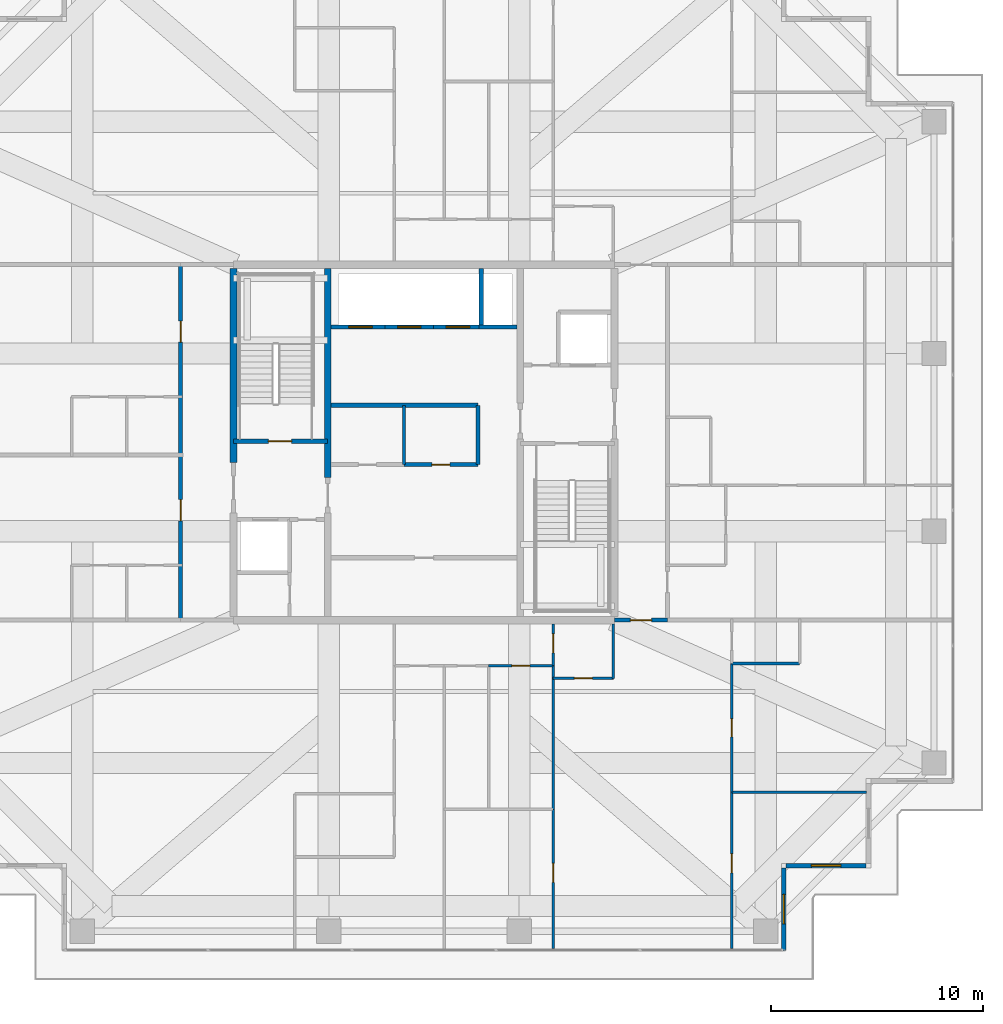
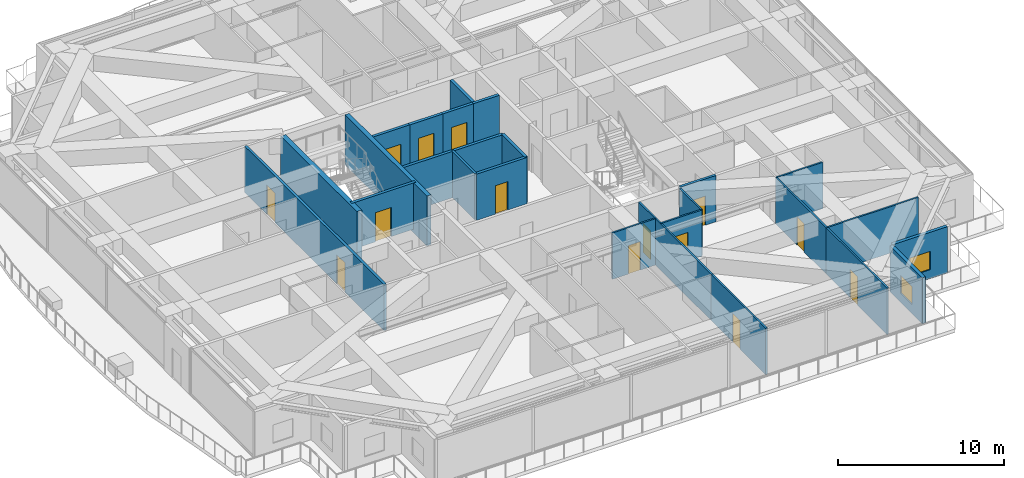
# One storey, part 29 of 39: 26 walls, 14 doors, 2 windows, 16 openings.
"""IFC4 building model written with IfcOpenShell, lengths in metres."""

import ifcopenshell
import ifcopenshell.guid

model = None  # the IFC model being written
_history = None  # IfcOwnerHistory: only IFC2X3 demands one
_inside = {}  # id of a spatial element -> (the spatial element, [elements in it])
_under = {}  # id of a project, library or spatial element -> (it, [spatial elements below it])
_declared = {}  # id of a project -> (the project, [libraries it declares])
_typed = {}  # id of a type object -> (the type object, [elements of that type])
_made_of = {}  # id of a material, layer set ... -> (it, [elements and type objects made of it])


def new_model(schema):
    """Start an empty IFC model of exactly this schema.

    Asked for "IFC4X3", IfcOpenShell would pick the latest addendum, in which some entities
    have other attributes; the version numbers below select the first issue.
    IFC2X3 requires an IfcOwnerHistory on every rooted entity: one is made here for all.
    """
    global model, _history
    if schema == "IFC4X3":
        model = ifcopenshell.file(schema_version=(4, 3, 0, 0))
    else:
        model = ifcopenshell.file(schema=schema)
    _inside.clear()
    _under.clear()
    _declared.clear()
    _typed.clear()
    _made_of.clear()
    _history = None
    if model.schema == "IFC2X3":
        org = make("IfcOrganization", Name="unknown")
        user = make(
            "IfcPersonAndOrganization",
            ThePerson=make("IfcPerson", FamilyName="unknown"),
            TheOrganization=org,
        )
        app = make(
            "IfcApplication",
            ApplicationDeveloper=org,
            Version="unknown",
            ApplicationFullName="unknown",
            ApplicationIdentifier="unknown",
        )
        _history = make(
            "IfcOwnerHistory",
            OwningUser=user,
            OwningApplication=app,
            ChangeAction="ADDED",
            CreationDate=0,
        )
    return model


def make(cls, **values):
    """One entity of the class cls with the attributes given. An attribute that is None is left unset."""
    return model.create_entity(
        cls, **{name: value for name, value in values.items() if value is not None}
    )


def rooted(cls, **values):
    """An entity with a GlobalId (a new one), such as an element, a storey or a relation."""
    return make(cls, GlobalId=ifcopenshell.guid.new(), OwnerHistory=_history, **values)


def si_unit(unit_type, name, prefix=None):
    """IfcSIUnit, for example si_unit("LENGTHUNIT", "METRE", prefix="MILLI")."""
    return make("IfcSIUnit", UnitType=unit_type, Prefix=prefix, Name=name)


def assignment(units):
    """IfcUnitAssignment: the units of a project."""
    return None if units is None else make("IfcUnitAssignment", Units=units)


def point(xyz):
    """IfcCartesianPoint."""
    return None if xyz is None else make("IfcCartesianPoint", Coordinates=xyz)


def direction(xyz):
    """IfcDirection."""
    return None if xyz is None else make("IfcDirection", DirectionRatios=xyz)


def frame(location, z_axis=None, x_axis=None):
    """IfcAxis2Placement3D, a coordinate frame: its origin and axes. An axis left out is left unset."""
    return make(
        "IfcAxis2Placement3D",
        Location=point(location),
        Axis=direction(z_axis),
        RefDirection=direction(x_axis),
    )


def frame_2d(location, x_axis=None):
    """IfcAxis2Placement2D, a coordinate frame in the plane: its origin and x axis."""
    return make(
        "IfcAxis2Placement2D", Location=point(location), RefDirection=direction(x_axis)
    )


def origin():
    """The frame at (0, 0, 0) with its axes left unset."""
    return frame((0.0, 0.0, 0.0))


def place(relative_to, where):
    """IfcLocalPlacement: puts the frame where relative to a parent placement (None: the world)."""
    return make(
        "IfcLocalPlacement", PlacementRelTo=relative_to, RelativePlacement=where
    )


def context(
    kind, dimensions, precision=None, world=None, true_north=None, identifier=None
):
    """IfcGeometricRepresentationContext, for example the 3D "Model" context."""
    return make(
        "IfcGeometricRepresentationContext",
        ContextIdentifier=identifier,
        ContextType=kind,
        CoordinateSpaceDimension=dimensions,
        Precision=precision,
        WorldCoordinateSystem=world,
        TrueNorth=true_north,
    )


def subcontext(parent, identifier, kind, view, scale=None):
    """IfcGeometricRepresentationSubContext, for example "Body" below "Model"."""
    return make(
        "IfcGeometricRepresentationSubContext",
        ContextIdentifier=identifier,
        ContextType=kind,
        ParentContext=parent,
        TargetScale=scale,
        TargetView=view,
    )


def project(units=None, contexts=None):
    """IfcProject with its units and contexts."""
    return rooted(
        "IfcProject",
        Name="project",
        RepresentationContexts=contexts,
        UnitsInContext=assignment(units),
    )


def spatial(cls, under=None, at=None, **own):
    """A site, building, storey or space (cls), placed at a placement, below another one or the project."""
    s = rooted(cls, ObjectPlacement=at, **own)
    if under is not None:
        _under.setdefault(under.id(), (under, []))[1].append(s)
    return s


def profile(cls, at=None, kind="AREA", **sizes):
    """A parametric profile (cls). Its sizes go by their IFC names, for example OverallWidth=200.0."""
    return make(cls, ProfileType=kind, Position=at, **sizes)


def rectangle(**sizes):
    """IfcRectangleProfileDef."""
    return profile("IfcRectangleProfileDef", **sizes)


def extrude(swept, where, along, depth):
    """IfcExtrudedAreaSolid: the profile swept, set in the frame where, extruded along a direction by depth."""
    return make(
        "IfcExtrudedAreaSolid",
        SweptArea=swept,
        Position=where,
        ExtrudedDirection=direction(along),
        Depth=depth,
    )


def shape(context_of_items, identifier, shape_type, items):
    """IfcShapeRepresentation: the items that make up one representation, for example the "Body"."""
    return make(
        "IfcShapeRepresentation",
        ContextOfItems=context_of_items,
        RepresentationIdentifier=identifier,
        RepresentationType=shape_type,
        Items=items,
    )


def source(mapping_origin, context_of_items, identifier, shape_type, items):
    """IfcRepresentationMap: a shape defined once, which mapped items show again and again."""
    return make(
        "IfcRepresentationMap",
        MappingOrigin=mapping_origin,
        MappedRepresentation=shape(context_of_items, identifier, shape_type, items),
    )


def transform(
    local_origin,
    x_axis=None,
    y_axis=None,
    z_axis=None,
    scale=None,
    scale2=None,
    scale3=None,
    uniform=True,
):
    """IfcCartesianTransformationOperator3D, or its non-uniform kind. x_axis, y_axis, z_axis: its Axis1, 2, 3."""
    if uniform:
        return make(
            "IfcCartesianTransformationOperator3D",
            Axis1=direction(x_axis),
            Axis2=direction(y_axis),
            LocalOrigin=point(local_origin),
            Scale=scale,
            Axis3=direction(z_axis),
        )
    return make(
        "IfcCartesianTransformationOperator3DnonUniform",
        Axis1=direction(x_axis),
        Axis2=direction(y_axis),
        LocalOrigin=point(local_origin),
        Scale=scale,
        Axis3=direction(z_axis),
        Scale2=scale2,
        Scale3=scale3,
    )


def mapped(mapping_source, mapping_target):
    """IfcMappedItem: shows the shape of a source again, moved by a transform."""
    return make(
        "IfcMappedItem", MappingSource=mapping_source, MappingTarget=mapping_target
    )


def material(Name=None, Category=None):
    """IfcMaterial."""
    return make("IfcMaterial", Name=Name, Category=Category)


def layer(
    of_material, thickness, ventilated=None, Name=None, Category=None, Priority=None
):
    """IfcMaterialLayer: one layer of a wall or slab, of a material (None: an air gap)."""
    return make(
        "IfcMaterialLayer",
        Material=of_material,
        LayerThickness=thickness,
        IsVentilated=ventilated,
        Name=Name,
        Category=Category,
        Priority=Priority,
    )


def layer_set(layers, Name=None):
    """IfcMaterialLayerSet."""
    return make("IfcMaterialLayerSet", MaterialLayers=layers, LayerSetName=Name)


def made_of(thing, what):
    """Note that an element or type object is made of a material, layer set ...; save() writes the relation."""
    if what is not None:
        _made_of.setdefault(what.id(), (what, []))[1].append(thing)
    return thing


def type_object(cls, material=None, **own):
    """A type object (cls), such as IfcWallType, which elements share."""
    return made_of(rooted(cls, **own), material)


def element(
    cls,
    number,
    at=None,
    inside=None,
    cuts=None,
    type_object=None,
    material=None,
    context=None,
    identifier="Body",
    shape_type=None,
    held_by="IfcProductDefinitionShape",
    body=None,
    shapes=None,
    **own,
):
    """One element of the class cls, such as IfcWall. Its Tag is "e" and its number.

    at: its placement. inside: the storey or other place that contains it. cuts: it is an
    opening in that element (IfcRelVoidsElement). A single representation is given by context,
    identifier, shape_type and body (its items); several are given by shapes. held_by: the class
    of the entity that holds the representations. save() writes the other relations.
    """
    e = rooted(cls, Tag="e%d" % number, ObjectPlacement=at, **own)
    if body is not None:
        shapes = [shape(context, identifier, shape_type, body)]
    if shapes is not None:
        e.Representation = make(held_by, Representations=shapes)
    if inside is not None:
        _inside.setdefault(inside.id(), (inside, []))[1].append(e)
    if cuts is not None:
        rooted(
            "IfcRelVoidsElement", RelatingBuildingElement=cuts, RelatedOpeningElement=e
        )
    if type_object is not None:
        _typed.setdefault(type_object.id(), (type_object, []))[1].append(e)
    return made_of(e, material)


def fill(opening, filler):
    """IfcRelFillsElement: the door or window that sits in an opening."""
    return rooted(
        "IfcRelFillsElement",
        RelatingOpeningElement=opening,
        RelatedBuildingElement=filler,
    )


def aggregate(whole, parts):
    """IfcRelAggregates: a whole, such as a stair, and the parts it consists of."""
    return rooted("IfcRelAggregates", RelatingObject=whole, RelatedObjects=parts)


def save(model, path):
    """Write the relations noted so far, then the file.

    IfcRelAggregates (storeys below a building ...), IfcRelContainedInSpatialStructure (elements
    in a storey), IfcRelDefinesByType, IfcRelAssociatesMaterial and IfcRelDeclares: one each for
    every whole, place, type object, material and project.
    """
    for whole, parts in _under.values():
        aggregate(whole, parts)
    for where, things in _inside.values():
        rooted(
            "IfcRelContainedInSpatialStructure",
            RelatedElements=things,
            RelatingStructure=where,
        )
    for kind, things in _typed.values():
        rooted("IfcRelDefinesByType", RelatedObjects=things, RelatingType=kind)
    for what, things in _made_of.values():
        rooted("IfcRelAssociatesMaterial", RelatedObjects=things, RelatingMaterial=what)
    for by, libraries in _declared.values():
        rooted("IfcRelDeclares", RelatingContext=by, RelatedDefinitions=libraries)
    model.write(path)


model = new_model("IFC4")

# Units and contexts
model_context = context("Model", 3, precision=1e-05, world=origin(), true_north=direction((0.0, 1.0)))
body_context = subcontext(model_context, "Body", "Model", "MODEL_VIEW")
ifc_project = project(units=[si_unit("LENGTHUNIT", "METRE"), si_unit("AREAUNIT", "SQUARE_METRE"), si_unit("VOLUMEUNIT", "CUBIC_METRE"), si_unit("PLANEANGLEUNIT", "RADIAN"), si_unit("MASSUNIT", "GRAM", prefix="KILO")], contexts=[model_context])

# Site, building, storey
site_placement = place(None, origin())
site = spatial("IfcSite", under=ifc_project, at=site_placement, CompositionType="ELEMENT")
building_placement = place(site_placement, origin())
building = spatial("IfcBuilding", under=site, at=building_placement, Name="Serunith Strait Residences", CompositionType="ELEMENT")
storey_placement = place(building_placement, frame((0.0, 0.0, 283.60009765625)))
storey = spatial("IfcBuildingStorey", under=building, at=storey_placement, Name="L71", CompositionType="ELEMENT", Elevation=283.60009765625)

# Wall, opening, window
ifc_material_1 = material(Name="Pale-Champagne Aluminium Insulated Panel", Category="aluminium")
ifc_layer_1 = layer(ifc_material_1, 0.219970703125, Name="Pale-Champagne Aluminium Insulated Panel")
ifc_layer_set_1 = layer_set([ifc_layer_1], Name="Pale-Champagne Aluminium Insulated Panel")
wall_type_1 = type_object("IfcWallType", Name="EW-ALUM-220", PredefinedType="ELEMENTEDWALL", material=ifc_layer_set_1)
wall_1_placement = place(storey_placement, frame((49.39990234375, 1.199951171875, 0.0), z_axis=(0.0, 0.0, 1.0), x_axis=(0.0, 1.0, 0.0)))
wall_1 = element("IfcWall", 1, at=wall_1_placement, inside=storey, type_object=wall_type_1, Name="L71 Girih Serrated Corner Wall 02", PredefinedType="ELEMENTEDWALL", context=body_context, shape_type="SweptSolid", body=[
    extrude(rectangle(XDim=3.89013671875, YDim=0.219970703125, at=frame_2d((1.945068359375, 0.0))), origin(), (0.0, 0.0, 1.0), 3.39501953125),
])
opening_1_placement = place(wall_1_placement, frame((1.2451171875, 0.0, 0.64990234375)))
opening_1 = element("IfcOpeningElement", 2, at=opening_1_placement, cuts=wall_1, Name="Opening W-09", PredefinedType="OPENING", context=body_context, shape_type="SweptSolid", body=[
    extrude(rectangle(XDim=1.39990234375, YDim=1.35009765625, at=frame_2d((0.699951171875, 0.675048828125))), frame((0.0, 0.1201171875, 0.0), z_axis=(0.0, -1.0, 0.0), x_axis=(1.0, 0.0, 0.0)), (0.0, 0.0, 1.0), 0.239990234375),
])
ifc_material_2 = material(Name="Setback Spandrel Ceramic-Fritted Operable Window Glass", Category="glass")
window_type = type_object("IfcWindowType", Name="WIN-C7", PartitioningType="DOUBLE_PANEL_VERTICAL", PredefinedType="WINDOW", material=ifc_material_2)
shared_shape_1 = source(origin(), body_context, "Body", "SweptSolid", [
    extrude(rectangle(XDim=1.39990234375, YDim=1.35009765625, at=frame_2d((0.699951171875, 0.675048828125))), frame((0.0, 0.030029296875, 0.0), z_axis=(0.0, -1.0, 0.0), x_axis=(1.0, 0.0, 0.0)), (0.0, 0.0, 1.0), 0.06005859375),
])
window_1_placement = place(opening_1_placement, origin())
window_1 = element("IfcWindow", 3, at=window_1_placement, inside=storey, type_object=window_type, Name="L71 Corner Operable Fritted Window 02", OverallHeight=1.35009765625, OverallWidth=1.39990234375, PartitioningType="SINGLE_PANEL", PredefinedType="WINDOW", context=body_context, shape_type="MappedRepresentation", body=[
    mapped(shared_shape_1, transform((0.0, 0.0, 0.0), scale=1.0)),
])
fill(opening_1, window_1)

wall_2_placement = place(storey_placement, frame((49.510009765625, 5.199951171875, 0.0), z_axis=(0.0, 0.0, 1.0), x_axis=(1.0, 0.0, 0.0)))
wall_2 = element("IfcWall", 4, at=wall_2_placement, inside=storey, type_object=wall_type_1, Name="L71 Girih Serrated Corner Wall 03", PredefinedType="ELEMENTEDWALL", context=body_context, shape_type="SweptSolid", body=[
    extrude(rectangle(XDim=3.780029296875, YDim=0.219970703125, at=frame_2d((1.89013671875, 0.0))), origin(), (0.0, 0.0, 1.0), 3.39501953125),
])
opening_2_placement = place(wall_2_placement, frame((1.18994140625, 0.0, 0.64990234375)))
opening_2 = element("IfcOpeningElement", 5, at=opening_2_placement, cuts=wall_2, Name="Opening W-09", PredefinedType="OPENING", context=body_context, shape_type="SweptSolid", body=[
    extrude(rectangle(XDim=1.39990234375, YDim=1.35009765625, at=frame_2d((0.699951171875, 0.675048828125))), frame((0.0, 0.1201171875, 0.0), z_axis=(0.0, -1.0, 0.0), x_axis=(1.0, 0.0, 0.0)), (0.0, 0.0, 1.0), 0.239990234375),
])
window_2_placement = place(opening_2_placement, origin())
window_2 = element("IfcWindow", 6, at=window_2_placement, inside=storey, type_object=window_type, Name="L71 Corner Operable Fritted Window 03", OverallHeight=1.35009765625, OverallWidth=1.39990234375, PartitioningType="SINGLE_PANEL", PredefinedType="WINDOW", context=body_context, shape_type="MappedRepresentation", body=[
    mapped(shared_shape_1, transform((0.0, 0.0, 0.0), scale=1.0)),
])
fill(opening_2, window_2)

# Wall
ifc_material_3 = material(Name="Fire-rated masonry service closet wall", Category="masonry")
ifc_layer_2 = layer(ifc_material_3, 0.14990234375, Name="Fire-rated masonry service closet wall")
ifc_layer_set_2 = layer_set([ifc_layer_2], Name="Fire-rated masonry service closet wall")
wall_type_2 = type_object("IfcWallType", Name="IW-BOH-150", PredefinedType="PARTITIONING", material=ifc_layer_set_2)
wall_3_placement = place(storey_placement, frame((31.449951171875, 24.14990234375, 0.0), z_axis=(0.0, 0.0, 1.0), x_axis=(0.0, 1.0, 0.0)))
element("IfcWall", 7, at=wall_3_placement, inside=storey, type_object=wall_type_2, Name="L71 Partition Wall 017", PredefinedType="PARTITIONING", context=body_context, shape_type="SweptSolid", body=[
    extrude(rectangle(XDim=2.800048828125, YDim=0.14990234375, at=frame_2d((1.39990234375, 0.0))), origin(), (0.0, 0.0, 1.0), 3.409912109375),
])

# Wall, openings, doors
ifc_material_4 = material(Name="Fire-rated acoustic gypsum partition")
ifc_layer_3 = layer(ifc_material_4, 0.179931640625, Name="Fire-rated acoustic gypsum partition")
ifc_layer_set_3 = layer_set([ifc_layer_3], Name="Fire-rated acoustic gypsum partition")
wall_type_3 = type_object("IfcWallType", Name="IW-CORR-180", PredefinedType="PARTITIONING", material=ifc_layer_set_3)
wall_4_placement = place(storey_placement, frame((20.89990234375, 16.800048828125, 0.0), z_axis=(0.0, 0.0, 1.0), x_axis=(0.0, 1.0, 0.0)))
wall_4 = element("IfcWall", 8, at=wall_4_placement, inside=storey, type_object=wall_type_3, Name="L71 Partition Wall 025", PredefinedType="PARTITIONING", context=body_context, shape_type="SweptSolid", body=[
    extrude(rectangle(XDim=16.800048828125, YDim=0.179931640625, at=frame_2d((8.39990234375, 0.0))), origin(), (0.0, 0.0, 1.0), 3.409912109375),
])
opening_3_placement = place(wall_4_placement, frame((4.693115234375, 0.0, 0.0)))
opening_3 = element("IfcOpeningElement", 9, at=opening_3_placement, cuts=wall_4, Name="Opening D-APT1000", PredefinedType="OPENING", context=body_context, shape_type="SweptSolid", body=[
    extrude(rectangle(XDim=1.0, YDim=2.14990234375, at=frame_2d((0.5, 1.074951171875))), frame((0.0, 0.10009765625, 0.0), z_axis=(0.0, -1.0, 0.0), x_axis=(1.0, 0.0, 0.0)), (0.0, 0.0, 1.0), 0.199951171875),
])
opening_4_placement = place(wall_4_placement, frame((13.1298828125, 0.0, 0.0)))
opening_4 = element("IfcOpeningElement", 10, at=opening_4_placement, cuts=wall_4, Name="Opening D-APT1000", PredefinedType="OPENING", context=body_context, shape_type="SweptSolid", body=[
    extrude(rectangle(XDim=1.0, YDim=2.14990234375, at=frame_2d((0.5, 1.074951171875))), frame((0.0, 0.10009765625, 0.0), z_axis=(0.0, -1.0, 0.0), x_axis=(1.0, 0.0, 0.0)), (0.0, 0.0, 1.0), 0.199951171875),
])
ifc_material_5 = material(Name="Solid timber engineered fire door", Category="wood")
door_type_1 = type_object("IfcDoorType", Name="ID-APT-1000", OperationType="NOTDEFINED", PredefinedType="DOOR", material=ifc_material_5)
shared_shape_2 = source(origin(), body_context, "Body", "SweptSolid", [
    extrude(rectangle(XDim=1.0, YDim=2.14990234375, at=frame_2d((0.5, 1.074951171875))), frame((0.0, 0.02490234375, 0.0), z_axis=(0.0, -1.0, 0.0), x_axis=(1.0, 0.0, 0.0)), (0.0, 0.0, 1.0), 0.050048828125),
])
door_1_placement = place(opening_3_placement, origin())
door_1 = element("IfcDoor", 11, at=door_1_placement, inside=storey, type_object=door_type_1, Name="L71 Unit 03 Entrance Door", OperationType="SINGLE_SWING_LEFT", OverallHeight=2.14990234375, OverallWidth=1.0, PredefinedType="DOOR", context=body_context, shape_type="MappedRepresentation", body=[
    mapped(shared_shape_2, transform((0.0, 0.0, 0.0), scale=1.0)),
])
fill(opening_3, door_1)
door_2_placement = place(opening_4_placement, origin())
door_2 = element("IfcDoor", 12, at=door_2_placement, inside=storey, type_object=door_type_1, Name="L71 Unit 04 Entrance Door", OperationType="SINGLE_SWING_RIGHT", OverallHeight=2.14990234375, OverallWidth=1.0, PredefinedType="DOOR", context=body_context, shape_type="MappedRepresentation", body=[
    mapped(shared_shape_2, transform((0.0, 0.0, 0.0), scale=1.0)),
])
fill(opening_4, door_2)

# Wall, opening, door
wall_5_placement = place(storey_placement, frame((41.402099609375, 16.800048828125, 0.0), z_axis=(0.0, 0.0, 1.0), x_axis=(1.0, 0.0, 0.0)))
wall_5 = element("IfcWall", 13, at=wall_5_placement, inside=storey, type_object=wall_type_3, Name="L71 Partition Wall 026", PredefinedType="PARTITIONING", context=body_context, shape_type="SweptSolid", body=[
    extrude(rectangle(XDim=2.495849609375, YDim=0.179931640625, at=frame_2d((1.248046875, 0.0))), origin(), (0.0, 0.0, 1.0), 3.409912109375),
])
opening_5_placement = place(wall_5_placement, frame((0.748046875, 0.0, 0.0)))
opening_5 = element("IfcOpeningElement", 14, at=opening_5_placement, cuts=wall_5, Name="Opening D-APT1000", PredefinedType="OPENING", context=body_context, shape_type="SweptSolid", body=[
    extrude(rectangle(XDim=1.0, YDim=2.14990234375, at=frame_2d((0.5, 1.074951171875))), frame((0.0, 0.10009765625, 0.0), z_axis=(0.0, -1.0, 0.0), x_axis=(1.0, 0.0, 0.0)), (0.0, 0.0, 1.0), 0.199951171875),
])
door_3_placement = place(opening_5_placement, origin())
door_3 = element("IfcDoor", 15, at=door_3_placement, inside=storey, type_object=door_type_1, Name="L71 Unit 01 Entrance Door", OperationType="SINGLE_SWING_LEFT", OverallHeight=2.14990234375, OverallWidth=1.0, PredefinedType="DOOR", context=body_context, shape_type="MappedRepresentation", body=[
    mapped(shared_shape_2, transform((0.0, 0.0, 0.0), scale=1.0)),
])
fill(opening_5, door_3)

ifc_material_6 = material(Name="Lightweight steel-stud gypsum partition", Category="steel")
ifc_layer_4 = layer(ifc_material_6, 0.1201171875, Name="Lightweight steel-stud gypsum partition")
ifc_layer_set_4 = layer_set([ifc_layer_4], Name="Lightweight steel-stud gypsum partition")
wall_type_4 = type_object("IfcWallType", Name="IW-PART-120", PredefinedType="PARTITIONING", material=ifc_layer_set_4)
wall_6_placement = place(storey_placement, frame((38.5, 14.050048828125, 0.0), z_axis=(0.0, 0.0, 1.0), x_axis=(1.0, 0.0, 0.0)))
wall_6 = element("IfcWall", 16, at=wall_6_placement, inside=storey, type_object=wall_type_4, Name="L71 Partition Wall 029", PredefinedType="PARTITIONING", context=body_context, shape_type="SweptSolid", body=[
    extrude(rectangle(XDim=2.85009765625, YDim=0.1201171875, at=frame_2d((1.425048828125, 0.0))), origin(), (0.0, 0.0, 1.0), 3.409912109375),
])
opening_6_placement = place(wall_6_placement, frame((1.0, 0.0, 0.0)))
opening_6 = element("IfcOpeningElement", 17, at=opening_6_placement, cuts=wall_6, Name="Opening D-RM850", PredefinedType="OPENING", context=body_context, shape_type="SweptSolid", body=[
    extrude(rectangle(XDim=0.85009765625, YDim=2.10009765625, at=frame_2d((0.425048828125, 1.050048828125))), frame((0.0, 0.070068359375, 0.0), z_axis=(0.0, -1.0, 0.0), x_axis=(1.0, 0.0, 0.0)), (0.0, 0.0, 1.0), 0.14013671875),
])
ifc_material_7 = material(Name="Engineered timber flush study and kitchen door", Category="wood")
door_type_2 = type_object("IfcDoorType", Name="ID-ROOM-850", OperationType="NOTDEFINED", PredefinedType="DOOR", material=ifc_material_7)
shared_shape_3 = source(origin(), body_context, "Body", "SweptSolid", [
    extrude(rectangle(XDim=0.85009765625, YDim=2.10009765625, at=frame_2d((0.425048828125, 1.050048828125))), frame((0.0, 0.02490234375, 0.0), z_axis=(0.0, -1.0, 0.0), x_axis=(1.0, 0.0, 0.0)), (0.0, 0.0, 1.0), 0.050048828125),
])
door_4_placement = place(opening_6_placement, origin())
door_4 = element("IfcDoor", 18, at=door_4_placement, inside=storey, type_object=door_type_2, Name="L71 Kitchen 7101 Door", OperationType="SINGLE_SWING_RIGHT", OverallHeight=2.10009765625, OverallWidth=0.85009765625, PredefinedType="DOOR", context=body_context, shape_type="MappedRepresentation", body=[
    mapped(shared_shape_3, transform((0.0, 0.0, 0.0), scale=1.0)),
])
fill(opening_6, door_4)

# Wall
wall_7_placement = place(storey_placement, frame((41.35009765625, 14.050048828125, 0.0), z_axis=(0.0, 0.0, 1.0), x_axis=(0.0, 1.0, 0.0)))
element("IfcWall", 19, at=wall_7_placement, inside=storey, type_object=wall_type_4, Name="L71 Partition Wall 030", PredefinedType="PARTITIONING", context=body_context, shape_type="SweptSolid", body=[
    extrude(rectangle(XDim=2.574951171875, YDim=0.1201171875, at=frame_2d((1.28759765625, 0.0))), origin(), (0.0, 0.0, 1.0), 3.409912109375),
])

# Wall, opening, door
wall_8_placement = place(storey_placement, frame((38.5, 14.64990234375, 0.0), z_axis=(0.0, 0.0, 1.0), x_axis=(0.0, 1.0, 0.0)))
wall_8 = element("IfcWall", 20, at=wall_8_placement, inside=storey, type_object=wall_type_4, Name="L71 Partition Wall 031", PredefinedType="PARTITIONING", context=body_context, shape_type="SweptSolid", body=[
    extrude(rectangle(XDim=1.97509765625, YDim=0.1201171875, at=frame_2d((0.987548828125, 0.0))), origin(), (0.0, 0.0, 1.0), 3.409912109375),
])
opening_7_placement = place(wall_8_placement, frame((0.60107421875, 0.0, 0.0)))
opening_7 = element("IfcOpeningElement", 21, at=opening_7_placement, cuts=wall_8, Name="Opening D-RM900", PredefinedType="OPENING", context=body_context, shape_type="SweptSolid", body=[
    extrude(rectangle(XDim=0.89990234375, YDim=2.10009765625, at=frame_2d((0.449951171875, 1.050048828125))), frame((0.0, 0.070068359375, 0.0), z_axis=(0.0, -1.0, 0.0), x_axis=(1.0, 0.0, 0.0)), (0.0, 0.0, 1.0), 0.14013671875),
])
ifc_material_8 = material(Name="Engineered timber flush bedroom door", Category="wood")
door_type_3 = type_object("IfcDoorType", Name="ID-ROOM-900", OperationType="NOTDEFINED", PredefinedType="DOOR", material=ifc_material_8)
shared_shape_4 = source(origin(), body_context, "Body", "SweptSolid", [
    extrude(rectangle(XDim=0.89990234375, YDim=2.10009765625, at=frame_2d((0.449951171875, 1.050048828125))), frame((0.0, 0.02490234375, 0.0), z_axis=(0.0, -1.0, 0.0), x_axis=(1.0, 0.0, 0.0)), (0.0, 0.0, 1.0), 0.050048828125),
])
door_5_placement = place(opening_7_placement, origin())
door_5 = element("IfcDoor", 22, at=door_5_placement, inside=storey, type_object=door_type_3, Name="L71 Hall W 7101 Door", OperationType="SINGLE_SWING_LEFT", OverallHeight=2.10009765625, OverallWidth=0.89990234375, PredefinedType="DOOR", context=body_context, shape_type="MappedRepresentation", body=[
    mapped(shared_shape_4, transform((0.0, 0.0, 0.0), scale=1.0)),
])
fill(opening_7, door_5)

wall_9_placement = place(storey_placement, frame((38.5, 1.294921875, 0.0), z_axis=(0.0, 0.0, 1.0), x_axis=(0.0, 1.0, 0.0)))
wall_9 = element("IfcWall", 23, at=wall_9_placement, inside=storey, type_object=wall_type_4, Name="L71 Partition Wall 032", PredefinedType="PARTITIONING", context=body_context, shape_type="SweptSolid", body=[
    extrude(rectangle(XDim=6.565185546875, YDim=0.1201171875, at=frame_2d((3.28271484375, 0.0))), origin(), (0.0, 0.0, 1.0), 3.409912109375),
])
opening_8_placement = place(wall_9_placement, frame((3.115966796875, 0.0, 0.0)))
opening_8 = element("IfcOpeningElement", 24, at=opening_8_placement, cuts=wall_9, Name="Opening D-RM900", PredefinedType="OPENING", context=body_context, shape_type="SweptSolid", body=[
    extrude(rectangle(XDim=0.89990234375, YDim=2.10009765625, at=frame_2d((0.449951171875, 1.050048828125))), frame((0.0, 0.070068359375, 0.0), z_axis=(0.0, -1.0, 0.0), x_axis=(1.0, 0.0, 0.0)), (0.0, 0.0, 1.0), 0.14013671875),
])
door_6_placement = place(opening_8_placement, origin())
door_6 = element("IfcDoor", 25, at=door_6_placement, inside=storey, type_object=door_type_3, Name="L71 Formal Dining Room 1 7101 Door", OperationType="SINGLE_SWING_RIGHT", OverallHeight=2.10009765625, OverallWidth=0.89990234375, PredefinedType="DOOR", context=body_context, shape_type="MappedRepresentation", body=[
    mapped(shared_shape_4, transform((0.0, 0.0, 0.0), scale=1.0)),
])
fill(opening_8, door_6)

# Wall
wall_10_placement = place(storey_placement, frame((38.5, 7.862060546875, 0.0), z_axis=(0.0, 0.0, 1.0), x_axis=(0.0, 1.0, 0.0)))
element("IfcWall", 26, at=wall_10_placement, inside=storey, type_object=wall_type_4, Name="L71 Partition Wall 033", PredefinedType="PARTITIONING", context=body_context, shape_type="SweptSolid", body=[
    extrude(rectangle(XDim=6.785888671875, YDim=0.1201171875, at=frame_2d((3.39306640625, 0.0))), origin(), (0.0, 0.0, 1.0), 3.409912109375),
])

# Wall, opening, door
wall_11_placement = place(storey_placement, frame((35.451904296875, 14.64990234375, 0.0), z_axis=(0.0, 0.0, 1.0), x_axis=(1.0, 0.0, 0.0)))
wall_11 = element("IfcWall", 27, at=wall_11_placement, inside=storey, type_object=wall_type_4, Name="L71 Partition Wall 038", PredefinedType="PARTITIONING", context=body_context, shape_type="SweptSolid", body=[
    extrude(rectangle(XDim=3.048095703125, YDim=0.1201171875, at=frame_2d((1.52392578125, 0.0))), origin(), (0.0, 0.0, 1.0), 3.409912109375),
])
opening_9_placement = place(wall_11_placement, frame((1.09912109375, 0.0, 0.0)))
opening_9 = element("IfcOpeningElement", 28, at=opening_9_placement, cuts=wall_11, Name="Opening D-RM850", PredefinedType="OPENING", context=body_context, shape_type="SweptSolid", body=[
    extrude(rectangle(XDim=0.85009765625, YDim=2.10009765625, at=frame_2d((0.425048828125, 1.050048828125))), frame((0.0, 0.070068359375, 0.0), z_axis=(0.0, -1.0, 0.0), x_axis=(1.0, 0.0, 0.0)), (0.0, 0.0, 1.0), 0.14013671875),
])
door_7_placement = place(opening_9_placement, origin())
door_7 = element("IfcDoor", 29, at=door_7_placement, inside=storey, type_object=door_type_2, Name="L71 Formal Dining Room 7101 Door", OperationType="SINGLE_SWING_RIGHT", OverallHeight=2.10009765625, OverallWidth=0.85009765625, PredefinedType="DOOR", context=body_context, shape_type="MappedRepresentation", body=[
    mapped(shared_shape_3, transform((0.0, 0.0, 0.0), scale=1.0)),
])
fill(opening_9, door_7)

wall_12_placement = place(storey_placement, frame((46.949951171875, 1.294921875, 0.0), z_axis=(0.0, 0.0, 1.0), x_axis=(0.0, 1.0, 0.0)))
wall_12 = element("IfcWall", 30, at=wall_12_placement, inside=storey, type_object=wall_type_4, Name="L71 Partition Wall 046", PredefinedType="PARTITIONING", context=body_context, shape_type="SweptSolid", body=[
    extrude(rectangle(XDim=7.373046875, YDim=0.1201171875, at=frame_2d((3.6865234375, 0.0))), origin(), (0.0, 0.0, 1.0), 3.409912109375),
])
opening_10_placement = place(wall_12_placement, frame((3.56005859375, 0.0, 0.0)))
opening_10 = element("IfcOpeningElement", 31, at=opening_10_placement, cuts=wall_12, Name="Opening D-RM900", PredefinedType="OPENING", context=body_context, shape_type="SweptSolid", body=[
    extrude(rectangle(XDim=0.89990234375, YDim=2.10009765625, at=frame_2d((0.449951171875, 1.050048828125))), frame((0.0, 0.070068359375, 0.0), z_axis=(0.0, -1.0, 0.0), x_axis=(1.0, 0.0, 0.0)), (0.0, 0.0, 1.0), 0.14013671875),
])
door_8_placement = place(opening_10_placement, origin())
door_8 = element("IfcDoor", 32, at=door_8_placement, inside=storey, type_object=door_type_3, Name="L71 Bedroom 3 7101 Door", OperationType="SINGLE_SWING_RIGHT", OverallHeight=2.10009765625, OverallWidth=0.89990234375, PredefinedType="DOOR", context=body_context, shape_type="MappedRepresentation", body=[
    mapped(shared_shape_4, transform((0.0, 0.0, 0.0), scale=1.0)),
])
fill(opening_10, door_8)

# Walls
wall_13_placement = place(storey_placement, frame((46.949951171875, 8.66796875, 0.0), z_axis=(0.0, 0.0, 1.0), x_axis=(1.0, 0.0, 0.0)))
element("IfcWall", 33, at=wall_13_placement, inside=storey, type_object=wall_type_4, Name="L71 Partition Wall 047", PredefinedType="PARTITIONING", context=body_context, shape_type="SweptSolid", body=[
    extrude(rectangle(XDim=6.35498046875, YDim=0.1201171875, at=frame_2d((3.177490234375, 0.0))), origin(), (0.0, 0.0, 1.0), 3.409912109375),
])
wall_14_placement = place(storey_placement, frame((46.949951171875, 14.75, 0.0), z_axis=(0.0, 0.0, 1.0), x_axis=(1.0, 0.0, 0.0)))
element("IfcWall", 34, at=wall_14_placement, inside=storey, type_object=wall_type_4, Name="L71 Partition Wall 048", PredefinedType="PARTITIONING", context=body_context, shape_type="SweptSolid", body=[
    extrude(rectangle(XDim=3.199951171875, YDim=0.1201171875, at=frame_2d((1.60009765625, 0.0))), origin(), (0.0, 0.0, 1.0), 3.409912109375),
])

# Wall, opening, door
wall_15_placement = place(storey_placement, frame((46.949951171875, 8.669921875, 0.0), z_axis=(0.0, 0.0, 1.0), x_axis=(0.0, 1.0, 0.0)))
wall_15 = element("IfcWall", 35, at=wall_15_placement, inside=storey, type_object=wall_type_4, Name="L71 Partition Wall 050", PredefinedType="PARTITIONING", context=body_context, shape_type="SweptSolid", body=[
    extrude(rectangle(XDim=6.080078125, YDim=0.1201171875, at=frame_2d((3.0400390625, 0.0))), origin(), (0.0, 0.0, 1.0), 3.409912109375),
])
opening_11_placement = place(wall_15_placement, frame((2.614990234375, 0.0, 0.0)))
opening_11 = element("IfcOpeningElement", 36, at=opening_11_placement, cuts=wall_15, Name="Opening D-RM850", PredefinedType="OPENING", context=body_context, shape_type="SweptSolid", body=[
    extrude(rectangle(XDim=0.85009765625, YDim=2.10009765625, at=frame_2d((0.425048828125, 1.050048828125))), frame((0.0, 0.070068359375, 0.0), z_axis=(0.0, -1.0, 0.0), x_axis=(1.0, 0.0, 0.0)), (0.0, 0.0, 1.0), 0.14013671875),
])
door_9_placement = place(opening_11_placement, origin())
door_9 = element("IfcDoor", 37, at=door_9_placement, inside=storey, type_object=door_type_2, Name="L71 Walk-in Wardrobe 7101 Door", OperationType="SINGLE_SWING_LEFT", OverallHeight=2.10009765625, OverallWidth=0.85009765625, PredefinedType="DOOR", context=body_context, shape_type="MappedRepresentation", body=[
    mapped(shared_shape_3, transform((0.0, 0.0, 0.0), scale=1.0)),
])
fill(opening_11, door_9)

ifc_material_9 = material(Name="Autoclaved aerated concrete blockwork", Category="masonry")
ifc_layer_5 = layer(ifc_material_9, 0.199951171875, Name="Autoclaved aerated concrete blockwork")
ifc_layer_set_5 = layer_set([ifc_layer_5], Name="Autoclaved aerated concrete blockwork")
wall_type_5 = type_object("IfcWallType", Name="IW-SHAFT-200", PredefinedType="STANDARD", material=ifc_layer_set_5)
wall_16_placement = place(storey_placement, frame((23.39990234375, 25.25, 0.0), z_axis=(0.0, 0.0, 1.0), x_axis=(1.0, 0.0, 0.0)))
wall_16 = element("IfcWall", 38, at=wall_16_placement, inside=storey, type_object=wall_type_5, Name="L71 ST-1 South Shaft Wall", PredefinedType="STANDARD", context=body_context, shape_type="SweptSolid", body=[
    extrude(rectangle(XDim=4.4501953125, YDim=0.199951171875, at=frame_2d((2.22509765625, 0.0))), origin(), (0.0, 0.0, 1.0), 3.409912109375),
])
opening_12_placement = place(wall_16_placement, frame((1.64990234375, 0.0, 0.0)))
opening_12 = element("IfcOpeningElement", 39, at=opening_12_placement, cuts=wall_16, Name="Opening FD-1100", PredefinedType="OPENING", context=body_context, shape_type="SweptSolid", body=[
    extrude(rectangle(XDim=1.10009765625, YDim=2.14990234375, at=frame_2d((0.550048828125, 1.074951171875))), frame((0.0, 0.10986328125, 0.0), z_axis=(0.0, -1.0, 0.0), x_axis=(1.0, 0.0, 0.0)), (0.0, 0.0, 1.0), 0.219970703125),
])
ifc_material_10 = material(Name="Galvanised steel fire door leaf", Category="steel")
door_type_4 = type_object("IfcDoorType", Name="FD-STAIR-1100", OperationType="NOTDEFINED", PredefinedType="DOOR", material=ifc_material_10)
shared_shape_5 = source(origin(), body_context, "Body", "SweptSolid", [
    extrude(rectangle(XDim=1.10009765625, YDim=2.14990234375, at=frame_2d((0.550048828125, 1.074951171875))), frame((0.0, 0.02490234375, 0.0), z_axis=(0.0, -1.0, 0.0), x_axis=(1.0, 0.0, 0.0)), (0.0, 0.0, 1.0), 0.050048828125),
])
door_10_placement = place(opening_12_placement, origin())
door_10 = element("IfcDoor", 40, at=door_10_placement, inside=storey, type_object=door_type_4, Name="L71 ST-1 Escape Stair Door", OperationType="SINGLE_SWING_LEFT", OverallHeight=2.14990234375, OverallWidth=1.10009765625, PredefinedType="DOOR", context=body_context, shape_type="MappedRepresentation", body=[
    mapped(shared_shape_5, transform((0.0, 0.0, 0.0), scale=1.0)),
])
fill(opening_12, door_10)

wall_17_placement = place(storey_placement, frame((28.0, 30.64990234375, 0.0), z_axis=(0.0, 0.0, 1.0), x_axis=(1.0, 0.0, 0.0)))
wall_17 = element("IfcWall", 41, at=wall_17_placement, inside=storey, type_object=wall_type_5, Name="L71 PL-7 South Shaft Wall", PredefinedType="STANDARD", context=body_context, shape_type="SweptSolid", body=[
    extrude(rectangle(XDim=2.550048828125, YDim=0.199951171875, at=frame_2d((1.27490234375, 0.0))), origin(), (0.0, 0.0, 1.0), 3.409912109375),
])
opening_13_placement = place(wall_17_placement, frame((0.85009765625, 0.0, 0.0)))
opening_13 = element("IfcOpeningElement", 42, at=opening_13_placement, cuts=wall_17, Name="Opening LD-1100", PredefinedType="OPENING", context=body_context, shape_type="SweptSolid", body=[
    extrude(rectangle(XDim=1.10009765625, YDim=2.199951171875, at=frame_2d((0.550048828125, 1.10009765625))), frame((0.0, 0.10986328125, 0.0), z_axis=(0.0, -1.0, 0.0), x_axis=(1.0, 0.0, 0.0)), (0.0, 0.0, 1.0), 0.219970703125),
])
ifc_material_11 = material(Name="Pale-champagne stainless landing door")
door_type_5 = type_object("IfcDoorType", Name="LD-LIFT-1100", OperationType="DOUBLE_DOOR_SLIDING", PredefinedType="DOOR", material=ifc_material_11)
shared_shape_6 = source(origin(), body_context, "Body", "SweptSolid", [
    extrude(rectangle(XDim=1.10009765625, YDim=2.199951171875, at=frame_2d((0.550048828125, 1.10009765625))), frame((0.0, 0.02490234375, 0.0), z_axis=(0.0, -1.0, 0.0), x_axis=(1.0, 0.0, 0.0)), (0.0, 0.0, 1.0), 0.050048828125),
])
door_11_placement = place(opening_13_placement, origin())
door_11 = element("IfcDoor", 43, at=door_11_placement, inside=storey, type_object=door_type_5, Name="L71 PL-7 Landing Door", OperationType="DOUBLE_DOOR_SLIDING", OverallHeight=2.199951171875, OverallWidth=1.10009765625, PredefinedType="DOOR", context=body_context, shape_type="MappedRepresentation", body=[
    mapped(shared_shape_6, transform((0.0, 0.0, 0.0), scale=1.0)),
])
fill(opening_13, door_11)

wall_18_placement = place(storey_placement, frame((30.550048828125, 30.64990234375, 0.0), z_axis=(0.0, 0.0, 1.0), x_axis=(1.0, 0.0, 0.0)))
wall_18 = element("IfcWall", 44, at=wall_18_placement, inside=storey, type_object=wall_type_5, Name="L71 PL-8 South Shaft Wall", PredefinedType="STANDARD", context=body_context, shape_type="SweptSolid", body=[
    extrude(rectangle(XDim=2.300048828125, YDim=0.199951171875, at=frame_2d((1.14990234375, 0.0))), origin(), (0.0, 0.0, 1.0), 3.409912109375),
])
opening_14_placement = place(wall_18_placement, frame((0.60009765625, 0.0, 0.0)))
opening_14 = element("IfcOpeningElement", 45, at=opening_14_placement, cuts=wall_18, Name="Opening LD-1100", PredefinedType="OPENING", context=body_context, shape_type="SweptSolid", body=[
    extrude(rectangle(XDim=1.10009765625, YDim=2.199951171875, at=frame_2d((0.550048828125, 1.10009765625))), frame((0.0, 0.10986328125, 0.0), z_axis=(0.0, -1.0, 0.0), x_axis=(1.0, 0.0, 0.0)), (0.0, 0.0, 1.0), 0.219970703125),
])
door_12_placement = place(opening_14_placement, origin())
door_12 = element("IfcDoor", 46, at=door_12_placement, inside=storey, type_object=door_type_5, Name="L71 PL-8 Landing Door", OperationType="DOUBLE_DOOR_SLIDING", OverallHeight=2.199951171875, OverallWidth=1.10009765625, PredefinedType="DOOR", context=body_context, shape_type="MappedRepresentation", body=[
    mapped(shared_shape_6, transform((0.0, 0.0, 0.0), scale=1.0)),
])
fill(opening_14, door_12)

wall_19_placement = place(storey_placement, frame((32.85009765625, 30.64990234375, 0.0), z_axis=(0.0, 0.0, 1.0), x_axis=(1.0, 0.0, 0.0)))
wall_19 = element("IfcWall", 47, at=wall_19_placement, inside=storey, type_object=wall_type_5, Name="L71 PL-9 South Shaft Wall", PredefinedType="STANDARD", context=body_context, shape_type="SweptSolid", body=[
    extrude(rectangle(XDim=2.14990234375, YDim=0.199951171875, at=frame_2d((1.074951171875, 0.0))), origin(), (0.0, 0.0, 1.0), 3.409912109375),
])
opening_15_placement = place(wall_19_placement, frame((0.60009765625, 0.0, 0.0)))
opening_15 = element("IfcOpeningElement", 48, at=opening_15_placement, cuts=wall_19, Name="Opening LD-1100", PredefinedType="OPENING", context=body_context, shape_type="SweptSolid", body=[
    extrude(rectangle(XDim=1.10009765625, YDim=2.199951171875, at=frame_2d((0.550048828125, 1.10009765625))), frame((0.0, 0.10986328125, 0.0), z_axis=(0.0, -1.0, 0.0), x_axis=(1.0, 0.0, 0.0)), (0.0, 0.0, 1.0), 0.219970703125),
])
door_13_placement = place(opening_15_placement, origin())
door_13 = element("IfcDoor", 49, at=door_13_placement, inside=storey, type_object=door_type_5, Name="L71 PL-9 Landing Door", OperationType="DOUBLE_DOOR_SLIDING", OverallHeight=2.199951171875, OverallWidth=1.10009765625, PredefinedType="DOOR", context=body_context, shape_type="MappedRepresentation", body=[
    mapped(shared_shape_6, transform((0.0, 0.0, 0.0), scale=1.0)),
])
fill(opening_15, door_13)

# Walls
wall_20_placement = place(storey_placement, frame((35.0, 30.64990234375, 0.0), z_axis=(0.0, 0.0, 1.0), x_axis=(1.0, 0.0, 0.0)))
element("IfcWall", 50, at=wall_20_placement, inside=storey, type_object=wall_type_5, Name="L71 SL-1 South Shaft Wall", PredefinedType="STANDARD", context=body_context, shape_type="SweptSolid", body=[
    extrude(rectangle(XDim=1.800048828125, YDim=0.199951171875, at=frame_2d((0.89990234375, 0.0))), origin(), (0.0, 0.0, 1.0), 3.409912109375),
])
wall_21_placement = place(storey_placement, frame((35.10009765625, 30.75, 0.0), z_axis=(0.0, 0.0, 1.0), x_axis=(0.0, 1.0, 0.0)))
element("IfcWall", 51, at=wall_21_placement, inside=storey, type_object=wall_type_5, Name="L71 SL-1 West Shaft Wall", PredefinedType="STANDARD", context=body_context, shape_type="SweptSolid", body=[
    extrude(rectangle(XDim=2.675048828125, YDim=0.199951171875, at=frame_2d((1.33740234375, 0.0))), origin(), (0.0, 0.0, 1.0), 3.409912109375),
])
wall_22_placement = place(storey_placement, frame((28.0, 26.949951171875, 0.0), z_axis=(0.0, 0.0, 1.0), x_axis=(1.0, 0.0, 0.0)))
element("IfcWall", 52, at=wall_22_placement, inside=storey, type_object=wall_type_5, Name="L71 Partition Wall 013", PredefinedType="STANDARD", context=body_context, shape_type="SweptSolid", body=[
    extrude(rectangle(XDim=6.949951171875, YDim=0.199951171875, at=frame_2d((3.47509765625, 0.0))), origin(), (0.0, 0.0, 1.0), 3.409912109375),
])
wall_23_placement = place(storey_placement, frame((34.949951171875, 24.14990234375, 0.0), z_axis=(0.0, 0.0, 1.0), x_axis=(0.0, 1.0, 0.0)))
element("IfcWall", 53, at=wall_23_placement, inside=storey, type_object=wall_type_5, Name="L71 Partition Wall 014", PredefinedType="STANDARD", context=body_context, shape_type="SweptSolid", body=[
    extrude(rectangle(XDim=2.800048828125, YDim=0.199951171875, at=frame_2d((1.39990234375, 0.0))), origin(), (0.0, 0.0, 1.0), 3.409912109375),
])

# Wall, opening, door
wall_24_placement = place(storey_placement, frame((31.451904296875, 24.14990234375, 0.0), z_axis=(0.0, 0.0, 1.0), x_axis=(1.0, 0.0, 0.0)))
wall_24 = element("IfcWall", 54, at=wall_24_placement, inside=storey, type_object=wall_type_5, Name="L71 Partition Wall 016", PredefinedType="STANDARD", context=body_context, shape_type="SweptSolid", body=[
    extrude(rectangle(XDim=3.498046875, YDim=0.199951171875, at=frame_2d((1.7490234375, 0.0))), origin(), (0.0, 0.0, 1.0), 3.409912109375),
])
opening_16_placement = place(wall_24_placement, frame((1.323974609375, 0.0, 0.0)))
opening_16 = element("IfcOpeningElement", 55, at=opening_16_placement, cuts=wall_24, Name="Opening FD-850", PredefinedType="OPENING", context=body_context, shape_type="SweptSolid", body=[
    extrude(rectangle(XDim=0.85009765625, YDim=2.10009765625, at=frame_2d((0.425048828125, 1.050048828125))), frame((0.0, 0.10986328125, 0.0), z_axis=(0.0, -1.0, 0.0), x_axis=(1.0, 0.0, 0.0)), (0.0, 0.0, 1.0), 0.219970703125),
])
ifc_material_12 = material(Name="Powder-coated steel service closet door", Category="steel")
door_type_6 = type_object("IfcDoorType", Name="FD-BOH-850", OperationType="NOTDEFINED", PredefinedType="DOOR", material=ifc_material_12)
door_14_placement = place(opening_16_placement, origin())
door_14 = element("IfcDoor", 56, at=door_14_placement, inside=storey, type_object=door_type_6, Name="L71 Upper Telecoms Door", OperationType="SINGLE_SWING_RIGHT", OverallHeight=2.10009765625, OverallWidth=0.85009765625, PredefinedType="DOOR", context=body_context, shape_type="MappedRepresentation", body=[
    mapped(shared_shape_3, transform((0.0, 0.0, 0.0), scale=1.0)),
])
fill(opening_16, door_14)

# Walls
ifc_material_13 = material(Name="Concrete C60/75", Category="concrete")
ifc_layer_6 = layer(ifc_material_13, 0.300048828125, Name="Concrete C60/75")
ifc_layer_set_6 = layer_set([ifc_layer_6], Name="Concrete C60/75")
wall_type_6 = type_object("IfcWallType", Name="SW-300-C60", PredefinedType="SHEAR", material=ifc_layer_set_6)
wall_25_placement = place(storey_placement, frame((27.85009765625, 23.550048828125, -0.260009765625), z_axis=(0.0, 0.0, 1.0), x_axis=(0.0, 1.0, 0.0)))
element("IfcWall", 57, at=wall_25_placement, inside=storey, type_object=wall_type_6, Name="L71 Core Internal West Web North Pier", PredefinedType="SHEAR", context=body_context, shape_type="SweptSolid", body=[
    extrude(rectangle(XDim=9.875, YDim=0.300048828125, at=frame_2d((4.9375, 0.0))), origin(), (0.0, 0.0, 1.0), 3.66796875),
])
ifc_layer_7 = layer(ifc_material_13, 0.35009765625, Name="Concrete C60/75")
ifc_layer_set_7 = layer_set([ifc_layer_7], Name="Concrete C60/75")
wall_type_7 = type_object("IfcWallType", Name="SW-350-C60", PredefinedType="SHEAR", material=ifc_layer_set_7)
wall_26_placement = place(storey_placement, frame((23.39990234375, 24.25, -0.260009765625), z_axis=(0.0, 0.0, 1.0), x_axis=(0.0, 1.0, 0.0)))
element("IfcWall", 58, at=wall_26_placement, inside=storey, type_object=wall_type_7, Name="L71 Core West Shear Wall North Pier", PredefinedType="SHEAR", context=body_context, shape_type="SweptSolid", body=[
    extrude(rectangle(XDim=9.175048828125, YDim=0.35009765625, at=frame_2d((4.58740234375, 0.0))), origin(), (0.0, 0.0, 1.0), 3.66796875),
])

save(model, "model.ifc")
